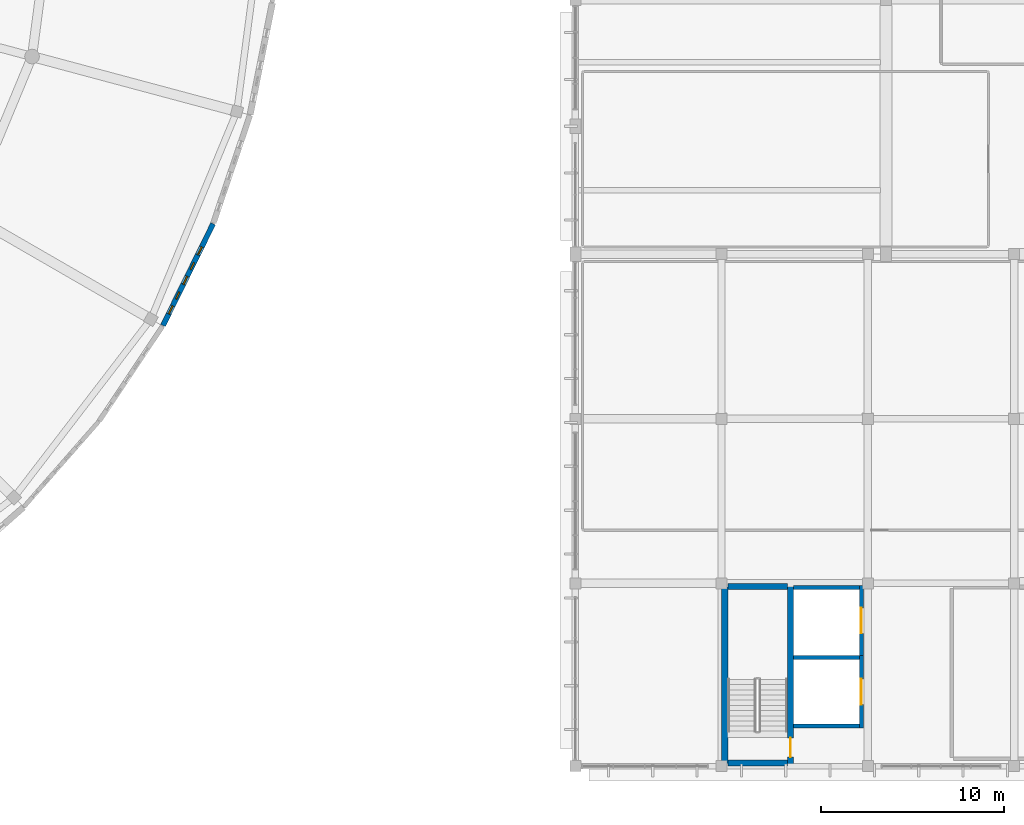
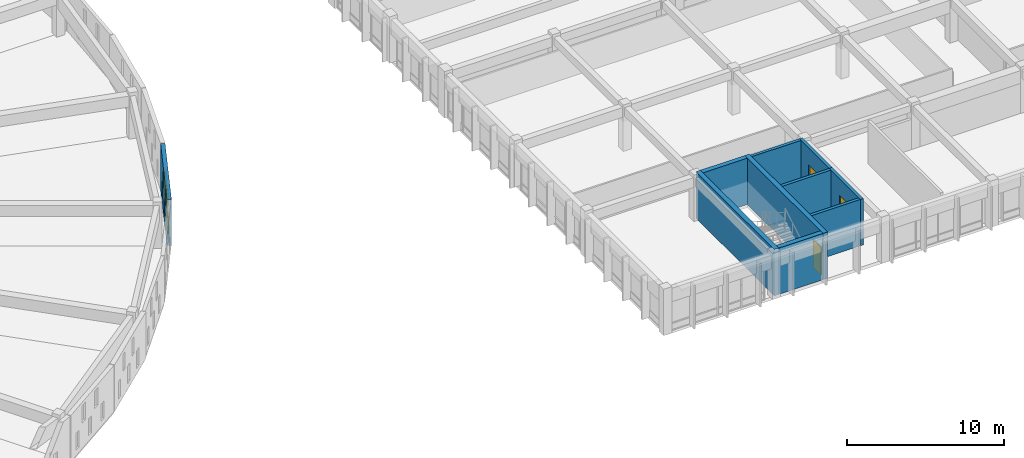
# One storey, part 110 of 155: 10 walls, 5 windows, 3 doors, 8 openings.
"""IFC4 building model written with IfcOpenShell, lengths in metres."""

from ifc_helpers import new_model, si_unit, direction, frame, frame_2d, origin, place, context, subcontext, project, spatial, rectangle, extrude, material, layer, layer_set, type_object, element, fill, save


model = new_model("IFC4")

# Units and contexts
model_context = context("Model", 3, precision=1e-05, world=origin(), true_north=direction((0.0, 1.0)))
body_context = subcontext(model_context, "Body", "Model", "MODEL_VIEW")
ifc_project = project(units=[si_unit("LENGTHUNIT", "METRE"), si_unit("AREAUNIT", "SQUARE_METRE"), si_unit("VOLUMEUNIT", "CUBIC_METRE"), si_unit("PLANEANGLEUNIT", "RADIAN"), si_unit("MASSUNIT", "GRAM", prefix="KILO")], contexts=[model_context])

# Site, building, storey
site_placement = place(None, origin())
site = spatial("IfcSite", under=ifc_project, at=site_placement, CompositionType="ELEMENT")
building_placement = place(site_placement, origin())
building = spatial("IfcBuilding", under=site, at=building_placement, Name="Larkveld Mobility Hub", CompositionType="ELEMENT")
storey_placement = place(building_placement, frame((0.0, 0.0, 8.39990234375)))
storey = spatial("IfcBuildingStorey", under=building, at=storey_placement, Name="L02", CompositionType="ELEMENT", Elevation=8.39990234375)

# Wall, openings, windows
ifc_material_1 = material(Name="Fired clay brick 25 MPa", Category="masonry")
ifc_layer_1 = layer(ifc_material_1, 0.2900390625, Name="Fired clay brick 25 MPa", Category="masonry")
ifc_layer_set_1 = layer_set([ifc_layer_1], Name="Fired clay brick 25 MPa")
wall_type_1 = type_object("IfcWallType", Name="WL-BRK-290", PredefinedType="USERDEFINED", material=ifc_layer_set_1)
wall_1_placement = place(storey_placement, frame((89.449951171875, 24.096923828125, 0.0), z_axis=(0.0, 0.0, 1.0), x_axis=(0.442316740488, 0.896858908126, 0.0)))
wall_1 = element("IfcWall", 1, at=wall_1_placement, inside=storey, type_object=wall_type_1, Name="Drum Woven Open-Bond Brick Chord L02-0135", ObjectType="PERFORATED BRICK SCREEN", PredefinedType="USERDEFINED", context=body_context, shape_type="SweptSolid", body=[
    extrude(rectangle(XDim=6.210693359375, YDim=0.2900390625, at=frame_2d((3.10546875, 0.0))), origin(), (0.0, 0.0, 1.0), 3.60009765625),
])
opening_1_placement = place(wall_1_placement, frame((0.719970703125, 0.0, 0.419921875)))
opening_1 = element("IfcOpeningElement", 2, at=opening_1_placement, cuts=wall_1, Name="Opening W03", PredefinedType="OPENING", context=body_context, shape_type="SweptSolid", body=[
    extrude(rectangle(XDim=0.47998046875, YDim=1.360107421875, at=frame_2d((0.239990234375, 0.68017578125))), frame((0.0, 0.155029296875, 0.0), z_axis=(0.0, -1.0, 0.0), x_axis=(1.0, 0.0, 0.0)), (0.0, 0.0, 1.0), 0.31005859375),
])
opening_2_placement = place(wall_1_placement, frame((2.52001953125, 0.0, 0.419921875)))
opening_2 = element("IfcOpeningElement", 3, at=opening_2_placement, cuts=wall_1, Name="Opening W03", PredefinedType="OPENING", context=body_context, shape_type="SweptSolid", body=[
    extrude(rectangle(XDim=0.47998046875, YDim=1.360107421875, at=frame_2d((0.239990234375, 0.68017578125))), frame((0.0, 0.155029296875, 0.0), z_axis=(0.0, -1.0, 0.0), x_axis=(1.0, 0.0, 0.0)), (0.0, 0.0, 1.0), 0.31005859375),
])
opening_3_placement = place(wall_1_placement, frame((4.320068359375, 0.0, 0.419921875)))
opening_3 = element("IfcOpeningElement", 4, at=opening_3_placement, cuts=wall_1, Name="Opening W03", PredefinedType="OPENING", context=body_context, shape_type="SweptSolid", body=[
    extrude(rectangle(XDim=0.47998046875, YDim=1.360107421875, at=frame_2d((0.239990234375, 0.68017578125))), frame((0.0, 0.155029296875, 0.0), z_axis=(0.0, -1.0, 0.0), x_axis=(1.0, 0.0, 0.0)), (0.0, 0.0, 1.0), 0.31005859375),
])
opening_4_placement = place(wall_1_placement, frame((1.6201171875, 0.0, 1.97998046875)))
opening_4 = element("IfcOpeningElement", 5, at=opening_4_placement, cuts=wall_1, Name="Opening W01", PredefinedType="OPENING", context=body_context, shape_type="SweptSolid", body=[
    extrude(rectangle(XDim=0.419921875, YDim=1.280029296875, at=frame_2d((0.2099609375, 0.64013671875))), frame((0.0, 0.155029296875, 0.0), z_axis=(0.0, -1.0, 0.0), x_axis=(1.0, 0.0, 0.0)), (0.0, 0.0, 1.0), 0.31005859375),
])
opening_5_placement = place(wall_1_placement, frame((3.419921875, 0.0, 1.97998046875)))
opening_5 = element("IfcOpeningElement", 6, at=opening_5_placement, cuts=wall_1, Name="Opening W01", PredefinedType="OPENING", context=body_context, shape_type="SweptSolid", body=[
    extrude(rectangle(XDim=0.419921875, YDim=1.280029296875, at=frame_2d((0.2099609375, 0.64013671875))), frame((0.0, 0.155029296875, 0.0), z_axis=(0.0, -1.0, 0.0), x_axis=(1.0, 0.0, 0.0)), (0.0, 0.0, 1.0), 0.31005859375),
])
ifc_material_2 = material(Name="Extruded aluminium ventilation grille", Category="aluminium")
window_type_1 = type_object("IfcWindowType", Name="WN-VENT-01", PartitioningType="SINGLE_PANEL", PredefinedType="WINDOW", material=ifc_material_2)
window_1_placement = place(opening_4_placement, origin())
window_1 = element("IfcWindow", 7, at=window_1_placement, inside=storey, type_object=window_type_1, Name="Window W01 (0664)", OverallHeight=1.280029296875, OverallWidth=0.419921875, PartitioningType="SINGLE_PANEL", PredefinedType="WINDOW", context=body_context, shape_type="SweptSolid", body=[
    extrude(rectangle(XDim=0.419921875, YDim=1.280029296875, at=frame_2d((0.2099609375, 0.64013671875))), frame((0.0, 0.030029296875, 0.0), z_axis=(0.0, -1.0, 0.0), x_axis=(1.0, 0.0, 0.0)), (0.0, 0.0, 1.0), 0.06005859375),
])
fill(opening_4, window_1)
window_2_placement = place(opening_5_placement, origin())
window_2 = element("IfcWindow", 8, at=window_2_placement, inside=storey, type_object=window_type_1, Name="Window W01 (0665)", OverallHeight=1.280029296875, OverallWidth=0.419921875, PartitioningType="SINGLE_PANEL", PredefinedType="WINDOW", context=body_context, shape_type="SweptSolid", body=[
    extrude(rectangle(XDim=0.419921875, YDim=1.280029296875, at=frame_2d((0.2099609375, 0.64013671875))), frame((0.0, 0.030029296875, 0.0), z_axis=(0.0, -1.0, 0.0), x_axis=(1.0, 0.0, 0.0)), (0.0, 0.0, 1.0), 0.06005859375),
])
fill(opening_5, window_2)
window_type_2 = type_object("IfcWindowType", Name="WN-VENT-03", PartitioningType="SINGLE_PANEL", PredefinedType="WINDOW", material=ifc_material_2)
window_3_placement = place(opening_1_placement, origin())
window_3 = element("IfcWindow", 9, at=window_3_placement, inside=storey, type_object=window_type_2, Name="Window W03 (0661)", OverallHeight=1.360107421875, OverallWidth=0.47998046875, PartitioningType="SINGLE_PANEL", PredefinedType="WINDOW", context=body_context, shape_type="SweptSolid", body=[
    extrude(rectangle(XDim=0.47998046875, YDim=1.360107421875, at=frame_2d((0.239990234375, 0.68017578125))), frame((0.0, 0.030029296875, 0.0), z_axis=(0.0, -1.0, 0.0), x_axis=(1.0, 0.0, 0.0)), (0.0, 0.0, 1.0), 0.06005859375),
])
fill(opening_1, window_3)
window_4_placement = place(opening_2_placement, origin())
window_4 = element("IfcWindow", 10, at=window_4_placement, inside=storey, type_object=window_type_2, Name="Window W03 (0662)", OverallHeight=1.360107421875, OverallWidth=0.47998046875, PartitioningType="SINGLE_PANEL", PredefinedType="WINDOW", context=body_context, shape_type="SweptSolid", body=[
    extrude(rectangle(XDim=0.47998046875, YDim=1.360107421875, at=frame_2d((0.239990234375, 0.68017578125))), frame((0.0, 0.030029296875, 0.0), z_axis=(0.0, -1.0, 0.0), x_axis=(1.0, 0.0, 0.0)), (0.0, 0.0, 1.0), 0.06005859375),
])
fill(opening_2, window_4)
window_5_placement = place(opening_3_placement, origin())
window_5 = element("IfcWindow", 11, at=window_5_placement, inside=storey, type_object=window_type_2, Name="Window W03 (0663)", OverallHeight=1.360107421875, OverallWidth=0.47998046875, PartitioningType="SINGLE_PANEL", PredefinedType="WINDOW", context=body_context, shape_type="SweptSolid", body=[
    extrude(rectangle(XDim=0.47998046875, YDim=1.360107421875, at=frame_2d((0.239990234375, 0.68017578125))), frame((0.0, 0.030029296875, 0.0), z_axis=(0.0, -1.0, 0.0), x_axis=(1.0, 0.0, 0.0)), (0.0, 0.0, 1.0), 0.06005859375),
])
fill(opening_3, window_5)

# Wall, opening, door
ifc_material_3 = material(Name="Concrete C40/50", Category="concrete")
ifc_layer_2 = layer(ifc_material_3, 0.219970703125, Name="Concrete C40/50", Category="concrete")
ifc_layer_set_2 = layer_set([ifc_layer_2], Name="Concrete C40/50")
wall_type_2 = type_object("IfcWallType", Name="WL-SHF-220", PredefinedType="SHEAR", material=ifc_layer_set_2)
wall_2_placement = place(storey_placement, frame((127.64990234375, 9.8701171875, 0.0), z_axis=(0.0, 0.0, 1.0), x_axis=(0.0, -1.0, 0.0)))
wall_2 = element("IfcWall", 12, at=wall_2_placement, inside=storey, type_object=wall_type_2, Name="Lift GL1 Shaft Wall L02-E", PredefinedType="SHEAR", context=body_context, shape_type="SweptSolid", body=[
    extrude(rectangle(XDim=3.81005859375, YDim=0.219970703125, at=frame_2d((1.905029296875, 0.0))), origin(), (0.0, 0.0, 1.0), 3.60009765625),
])
opening_6_placement = place(wall_2_placement, frame((1.205078125, 0.0, 0.0)))
opening_6 = element("IfcOpeningElement", 13, at=opening_6_placement, cuts=wall_2, Name="Opening LD03", PredefinedType="OPENING", context=body_context, shape_type="SweptSolid", body=[
    extrude(rectangle(XDim=1.39990234375, YDim=2.300048828125, at=frame_2d((0.699951171875, 1.14990234375))), frame((0.0, 0.1201171875, 0.0), z_axis=(0.0, -1.0, 0.0), x_axis=(1.0, 0.0, 0.0)), (0.0, 0.0, 1.0), 0.239990234375),
])
ifc_material_4 = material(Name="Brushed stainless Steel S355JR sliding landing door", Category="steel")
door_type_1 = type_object("IfcDoorType", Name="DR-LD-140", OperationType="DOUBLE_DOOR_SLIDING", PredefinedType="DOOR", material=ifc_material_4)
door_1_placement = place(opening_6_placement, origin())
door_1 = element("IfcDoor", 14, at=door_1_placement, inside=storey, type_object=door_type_1, Name="Lift landing door GL1-L02", OperationType="DOUBLE_DOOR_SLIDING", OverallHeight=2.300048828125, OverallWidth=1.39990234375, PredefinedType="DOOR", context=body_context, shape_type="SweptSolid", body=[
    extrude(rectangle(XDim=1.39990234375, YDim=2.300048828125, at=frame_2d((0.699951171875, 1.14990234375))), frame((0.0, 0.02490234375, 0.0), z_axis=(0.0, -1.0, 0.0), x_axis=(1.0, 0.0, 0.0)), (0.0, 0.0, 1.0), 0.050048828125),
])
fill(opening_6, door_1)

# Wall
wall_3_placement = place(storey_placement, frame((123.93994140625, 9.760009765625, 0.0), z_axis=(0.0, 0.0, 1.0), x_axis=(1.0, 0.0, 0.0)))
element("IfcWall", 15, at=wall_3_placement, inside=storey, type_object=wall_type_2, Name="Lift GL1 Shaft Wall L02-N", PredefinedType="SHEAR", context=body_context, shape_type="SweptSolid", body=[
    extrude(rectangle(XDim=3.60009765625, YDim=0.219970703125, at=frame_2d((1.800048828125, 0.0))), origin(), (0.0, 0.0, 1.0), 3.60009765625),
])

# Wall, opening, door
wall_4_placement = place(storey_placement, frame((127.64990234375, 6.06005859375, 0.0), z_axis=(0.0, 0.0, 1.0), x_axis=(0.0, -1.0, 0.0)))
wall_4 = element("IfcWall", 16, at=wall_4_placement, inside=storey, type_object=wall_type_2, Name="Lift GL2 Shaft Wall L02-E", PredefinedType="SHEAR", context=body_context, shape_type="SweptSolid", body=[
    extrude(rectangle(XDim=3.97998046875, YDim=0.219970703125, at=frame_2d((1.989990234375, 0.0))), origin(), (0.0, 0.0, 1.0), 3.60009765625),
])
opening_7_placement = place(wall_4_placement, frame((1.2900390625, 0.0, 0.0)))
opening_7 = element("IfcOpeningElement", 17, at=opening_7_placement, cuts=wall_4, Name="Opening LD03", PredefinedType="OPENING", context=body_context, shape_type="SweptSolid", body=[
    extrude(rectangle(XDim=1.39990234375, YDim=2.300048828125, at=frame_2d((0.699951171875, 1.14990234375))), frame((0.0, 0.1201171875, 0.0), z_axis=(0.0, -1.0, 0.0), x_axis=(1.0, 0.0, 0.0)), (0.0, 0.0, 1.0), 0.239990234375),
])
door_2_placement = place(opening_7_placement, origin())
door_2 = element("IfcDoor", 18, at=door_2_placement, inside=storey, type_object=door_type_1, Name="Lift landing door GL2-L02", OperationType="DOUBLE_DOOR_SLIDING", OverallHeight=2.300048828125, OverallWidth=1.39990234375, PredefinedType="DOOR", context=body_context, shape_type="SweptSolid", body=[
    extrude(rectangle(XDim=1.39990234375, YDim=2.300048828125, at=frame_2d((0.699951171875, 1.14990234375))), frame((0.0, 0.02490234375, 0.0), z_axis=(0.0, -1.0, 0.0), x_axis=(1.0, 0.0, 0.0)), (0.0, 0.0, 1.0), 0.050048828125),
])
fill(opening_7, door_2)

# Walls
for number, where, z_axis, x_axis, name in (
    (19, (127.5400390625, 2.18994140625, 0.0), (0.0, 0.0, 1.0), (-1.0, 0.0, 0.0), "Lift GL2 Shaft Wall L02-S"),
    (20, (123.93994140625, 5.949951171875, 0.0), (0.0, 0.0, 1.0), (1.0, 0.0, 0.0), "Lift GL2 Shaft Wall L02-N"),
):
    element("IfcWall", number, at=place(storey_placement, frame(where, z_axis=z_axis, x_axis=x_axis)), inside=storey, type_object=wall_type_2, Name=name, PredefinedType="SHEAR", context=body_context, shape_type="SweptSolid", body=[
        extrude(rectangle(XDim=3.60009765625, YDim=0.219970703125, at=frame_2d((1.800048828125, 0.0))), origin(), (0.0, 0.0, 1.0), 3.60009765625),
    ])
ifc_layer_3 = layer(ifc_material_3, 0.340087890625, Name="Concrete C40/50", Category="concrete")
ifc_layer_set_3 = layer_set([ifc_layer_3], Name="Concrete C40/50")
wall_type_3 = type_object("IfcWallType", Name="WL-SHR-04", PredefinedType="SHEAR", material=ifc_layer_set_3)
wall_5_placement = place(storey_placement, frame((120.179931640625, 0.010009765625, 0.0), z_axis=(0.0, 0.0, 1.0), x_axis=(0.0, 1.0, 0.0)))
element("IfcWall", 21, at=wall_5_placement, inside=storey, type_object=wall_type_3, Name="Core C4 Stair Shear Wall L02-W", PredefinedType="SHEAR", context=body_context, shape_type="SweptSolid", body=[
    extrude(rectangle(XDim=9.97998046875, YDim=0.340087890625, at=frame_2d((4.989990234375, 0.0))), origin(), (0.0, 0.0, 1.0), 3.60009765625),
])

# Wall, opening, door
wall_6_placement = place(storey_placement, frame((123.77001953125, 9.989990234375, 0.0), z_axis=(0.0, 0.0, 1.0), x_axis=(0.0, -1.0, 0.0)))
wall_6 = element("IfcWall", 22, at=wall_6_placement, inside=storey, type_object=wall_type_3, Name="Core C4 Stair Shear Wall L02-E", PredefinedType="SHEAR", context=body_context, shape_type="SweptSolid", body=[
    extrude(rectangle(XDim=9.97998046875, YDim=0.340087890625, at=frame_2d((4.989990234375, 0.0))), origin(), (0.0, 0.0, 1.0), 3.60009765625),
])
opening_8_placement = place(wall_6_placement, frame((8.43994140625, 0.0, 0.0)))
opening_8 = element("IfcOpeningElement", 23, at=opening_8_placement, cuts=wall_6, Name="Opening DF02", PredefinedType="OPENING", context=body_context, shape_type="SweptSolid", body=[
    extrude(rectangle(XDim=1.050048828125, YDim=2.14990234375, at=frame_2d((0.52490234375, 1.074951171875))), frame((0.0, 0.18017578125, 0.0), z_axis=(0.0, -1.0, 0.0), x_axis=(1.0, 0.0, 0.0)), (0.0, 0.0, 1.0), 0.360107421875),
])
ifc_material_5 = material(Name="Pressed Steel S355JR fire door assembly", Category="steel")
door_type_2 = type_object("IfcDoorType", Name="DR-FD60", OperationType="NOTDEFINED", PredefinedType="DOOR", material=ifc_material_5)
door_3_placement = place(opening_8_placement, origin())
door_3 = element("IfcDoor", 24, at=door_3_placement, inside=storey, type_object=door_type_2, Name="Stair ST4 Fire Door L02", OperationType="SINGLE_SWING_LEFT", OverallHeight=2.14990234375, OverallWidth=1.050048828125, PredefinedType="DOOR", context=body_context, shape_type="SweptSolid", body=[
    extrude(rectangle(XDim=1.050048828125, YDim=2.14990234375, at=frame_2d((0.52490234375, 1.074951171875))), frame((0.0, 0.02490234375, 0.0), z_axis=(0.0, -1.0, 0.0), x_axis=(1.0, 0.0, 0.0)), (0.0, 0.0, 1.0), 0.050048828125),
])
fill(opening_8, door_3)

# Walls
for number, where, z_axis, x_axis, name in (
    (25, (123.60009765625, 0.179931640625, 0.0), (0.0, 0.0, 1.0), (-1.0, 0.0, 0.0), "Core C4 Stair Shear Wall L02-S"),
    (26, (120.35009765625, 9.820068359375, 0.0), (0.0, 0.0, 1.0), (1.0, 0.0, 0.0), "Core C4 Stair Shear Wall L02-N"),
):
    element("IfcWall", number, at=place(storey_placement, frame(where, z_axis=z_axis, x_axis=x_axis)), inside=storey, type_object=wall_type_3, Name=name, PredefinedType="SHEAR", context=body_context, shape_type="SweptSolid", body=[
        extrude(rectangle(XDim=3.25, YDim=0.340087890625, at=frame_2d((1.625, 0.0))), origin(), (0.0, 0.0, 1.0), 3.60009765625),
    ])

save(model, "model.ifc")
